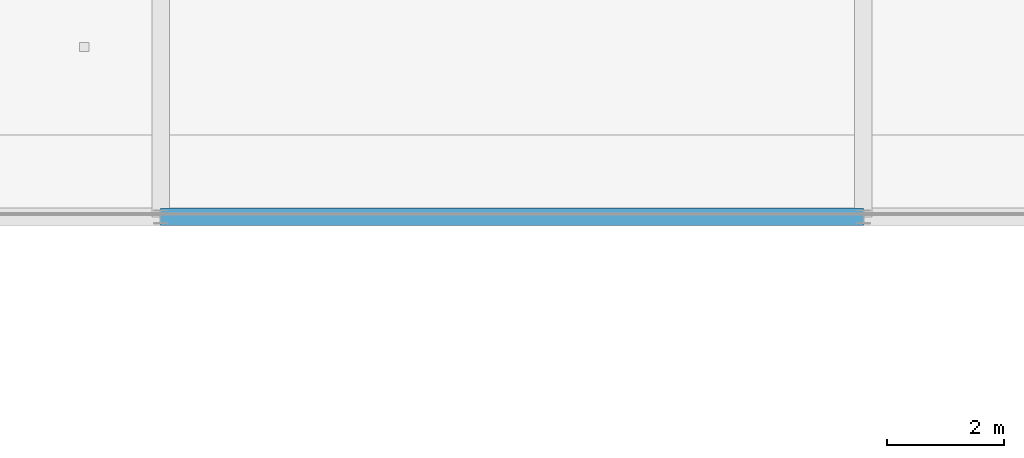
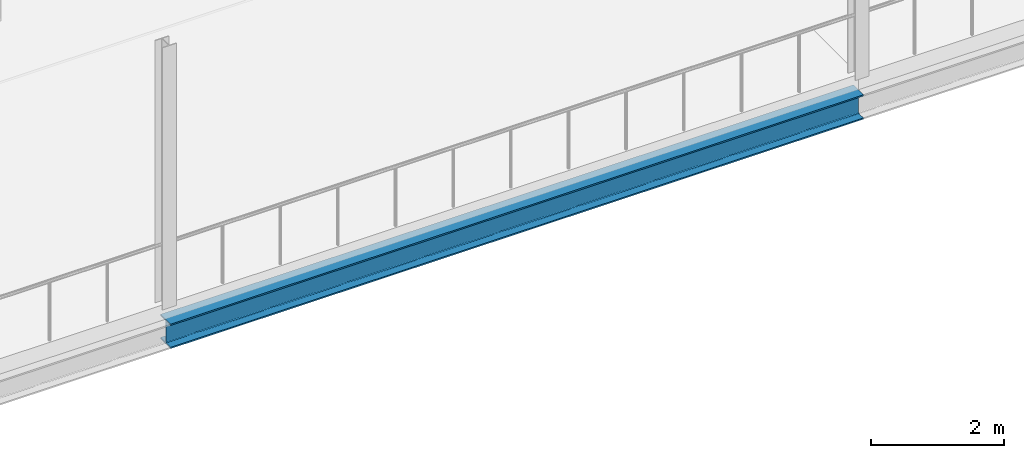
# One storey, part 51 of 159: 1 beam.
"""IFC4 building model written with IfcOpenShell, lengths in metres."""

from ifc_helpers import new_model, si_unit, direction, frame, origin, origin_2d, place, context, subcontext, project, spatial, i_section, extrude, material, material_profile, profile_set, type_object, element, save


model = new_model("IFC4")

# Units and contexts
model_context = context("Model", 3, precision=1e-05, world=origin(), true_north=direction((0.0, 1.0)))
body_context = subcontext(model_context, "Body", "Model", "MODEL_VIEW")
ifc_project = project(units=[si_unit("LENGTHUNIT", "METRE"), si_unit("AREAUNIT", "SQUARE_METRE"), si_unit("VOLUMEUNIT", "CUBIC_METRE"), si_unit("PLANEANGLEUNIT", "RADIAN"), si_unit("MASSUNIT", "GRAM", prefix="KILO")], contexts=[model_context])

# Site, building, storey
site_placement = place(None, origin())
site = spatial("IfcSite", under=ifc_project, at=site_placement, CompositionType="ELEMENT")
building_placement = place(site_placement, origin())
building = spatial("IfcBuilding", under=site, at=building_placement, Name="Merenkruunu Market Hall", CompositionType="ELEMENT")
storey_placement = place(building_placement, frame((0.0, 0.0, 5.39990234375)))
storey = spatial("IfcBuildingStorey", under=building, at=storey_placement, Name="L01", CompositionType="ELEMENT", Elevation=5.39990234375)

# Beam
ifc_material = material(Name="Steel S355J2", Category="steel")
ifc_material_profile = material_profile(ifc_material, i_section(OverallWidth=0.300048828125, OverallDepth=0.449951171875, WebThickness=0.013916015625, FlangeThickness=0.02587890625, FilletRadius=0.027099609375, at=origin_2d()), Name="HEB 450")
ifc_profile_set = profile_set([ifc_material_profile], Name="Steel S355J2")
beam_type = type_object("IfcBeamType", Name="Primary Floor Girder B03", PredefinedType="BEAM", material=ifc_profile_set)
beam_placement = place(storey_placement, frame((100.800048828125, 27.60009765625, -0.5048828125), z_axis=(1.0, 0.0, 0.0), x_axis=(0.0, 1.0, 0.0)))
element("IfcBeam", 1, at=beam_placement, inside=storey, type_object=beam_type, Name="BM-L01-B03-0486", PredefinedType="BEAM", context=body_context, shape_type="SweptSolid", body=[
    extrude(i_section(OverallWidth=0.300048828125, OverallDepth=0.449951171875, WebThickness=0.013916015625, FlangeThickness=0.02587890625, FilletRadius=0.027099609375, at=origin_2d()), origin(), (0.0, 0.0, 1.0), 12.0),
])

save(model, "model.ifc")
